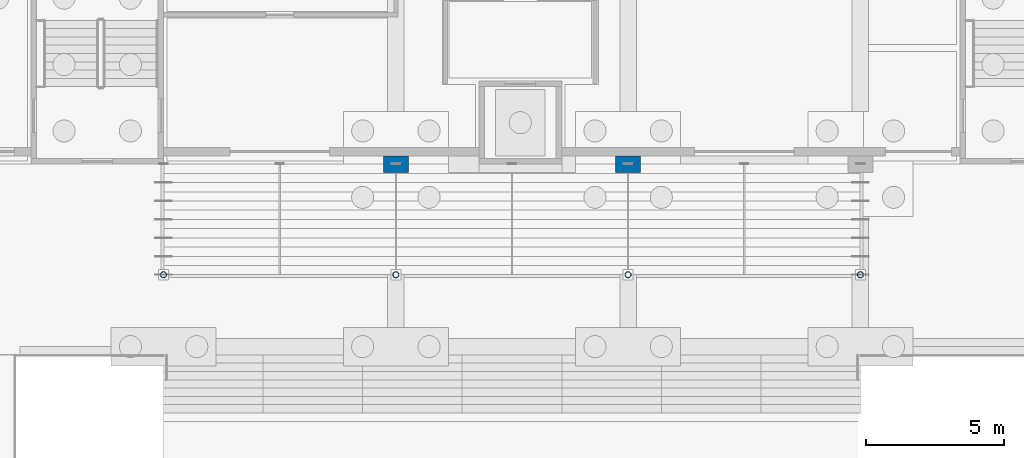
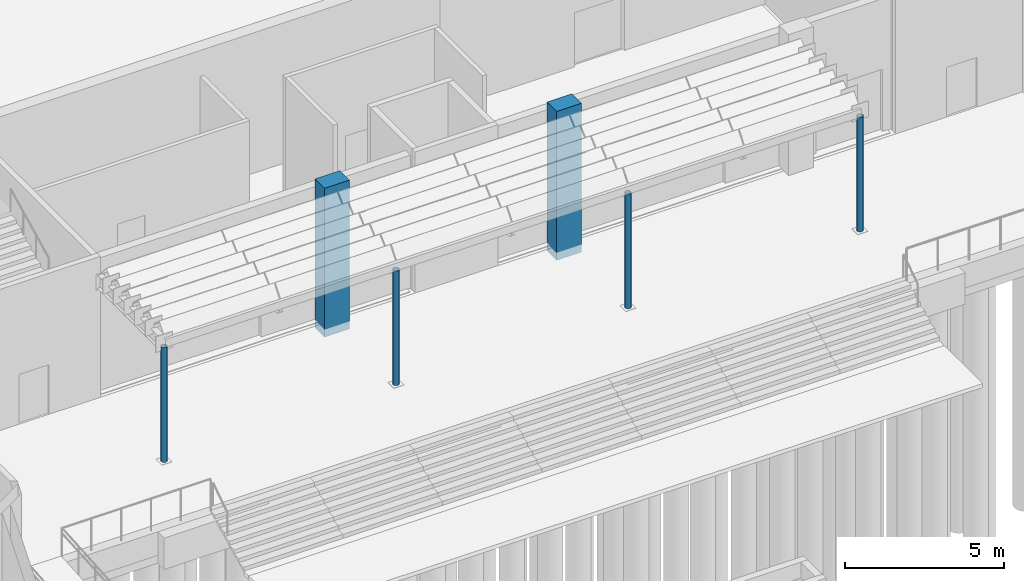
# One storey, part 14 of 129: 6 columns.
"""IFC4 building model written with IfcOpenShell, lengths in metres."""

from ifc_helpers import new_model, si_unit, direction, frame, origin, origin_2d, place, context, subcontext, project, spatial, rectangle, hollow_circle, extrude, material, material_profile, profile_set, type_object, element, save


model = new_model("IFC4")

# Units and contexts
model_context = context("Model", 3, precision=1e-05, world=origin(), true_north=direction((0.0, 1.0)))
body_context = subcontext(model_context, "Body", "Model", "MODEL_VIEW")
ifc_project = project(units=[si_unit("LENGTHUNIT", "METRE"), si_unit("AREAUNIT", "SQUARE_METRE"), si_unit("VOLUMEUNIT", "CUBIC_METRE"), si_unit("PLANEANGLEUNIT", "RADIAN"), si_unit("MASSUNIT", "GRAM", prefix="KILO")], contexts=[model_context])

# Site, building, storey
site_placement = place(None, origin())
site = spatial("IfcSite", under=ifc_project, at=site_placement, CompositionType="ELEMENT")
building_placement = place(site_placement, origin())
building = spatial("IfcBuilding", under=site, at=building_placement, Name="Kiln Court Media Centre", CompositionType="ELEMENT")
storey_placement = place(building_placement, origin())
storey = spatial("IfcBuildingStorey", under=building, at=storey_placement, Name="L00", CompositionType="ELEMENT", Elevation=0.0)

# Columns
ifc_material_1 = material(Name="Concrete C40/50", Category="concrete")
ifc_material_profile_1 = material_profile(ifc_material_1, rectangle(XDim=0.89990234375, YDim=0.60009765625, at=origin_2d()), Name="RC 900x600")
ifc_profile_set_1 = profile_set([ifc_material_profile_1], Name="Concrete C40/50")
column_type_1 = type_object("IfcColumnType", Name="Concrete C40/50 column 900x600", PredefinedType="COLUMN", material=ifc_profile_set_1)
for number, where, z_axis, x_axis, name in (
    (1, (75.60009765625, 25.199951171875, -0.300048828125), (0.0, 0.0, 1.0), (1.0, 0.0, 0.0), "L00-C-1042"),
    (2, (84.0, 25.199951171875, -0.300048828125), (0.0, 0.0, 1.0), (1.0, 0.0, 0.0), "L00-C-1044"),
):
    element("IfcColumn", number, at=place(storey_placement, frame(where, z_axis=z_axis, x_axis=x_axis)), inside=storey, type_object=column_type_1, Name=name, PredefinedType="COLUMN", context=body_context, shape_type="SweptSolid", body=[
        extrude(rectangle(XDim=0.89990234375, YDim=0.60009765625, at=origin_2d()), origin(), (0.0, 0.0, 1.0), 5.699951171875),
    ])
ifc_material_2 = material(Name="Steel ASTM A500 Gr C", Category="steel")
ifc_material_profile_2 = material_profile(ifc_material_2, hollow_circle(Radius=0.109619140625, WallThickness=0.008056640625, at=origin_2d()), Name="CHS 219.1x8.0")
ifc_profile_set_2 = profile_set([ifc_material_profile_2], Name="Steel ASTM A500 Gr C")
column_type_2 = type_object("IfcColumnType", Name="Steel ASTM A500 Gr C CHS 219.1x8.0 canopy column", PredefinedType="COLUMN", material=ifc_profile_set_2)
for number, where, z_axis, x_axis, name in (
    (3, (67.199951171875, 21.199951171875, 0.0), (0.0, 0.0, 1.0), (1.0, 0.0, 0.0), "canopy tip column 1 canopy column"),
    (4, (75.60009765625, 21.199951171875, 0.0), (0.0, 0.0, 1.0), (1.0, 0.0, 0.0), "canopy tip column 2 canopy column"),
    (5, (84.0, 21.199951171875, 0.0), (0.0, 0.0, 1.0), (1.0, 0.0, 0.0), "canopy tip column 3 canopy column"),
    (6, (92.39990234375, 21.199951171875, 0.0), (0.0, 0.0, 1.0), (1.0, 0.0, 0.0), "canopy tip column 4 canopy column"),
):
    element("IfcColumn", number, at=place(storey_placement, frame(where, z_axis=z_axis, x_axis=x_axis)), inside=storey, type_object=column_type_2, Name=name, PredefinedType="COLUMN", context=body_context, shape_type="SweptSolid", body=[
        extrude(hollow_circle(Radius=0.109619140625, WallThickness=0.008056640625, at=origin_2d()), origin(), (0.0, 0.0, 1.0), 4.39990234375),
    ])

save(model, "model.ifc")
